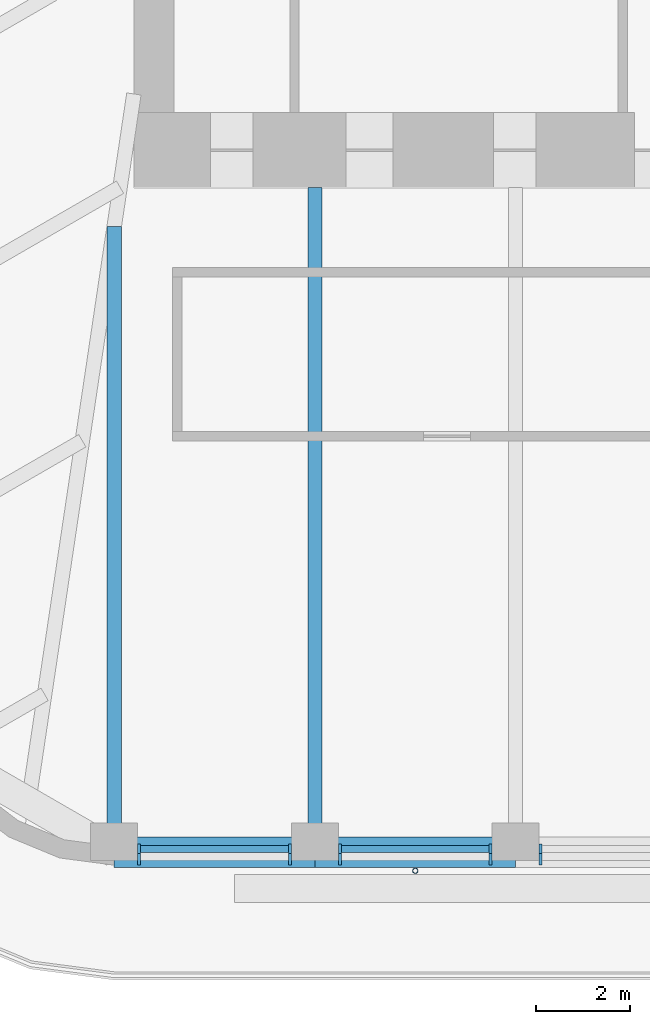
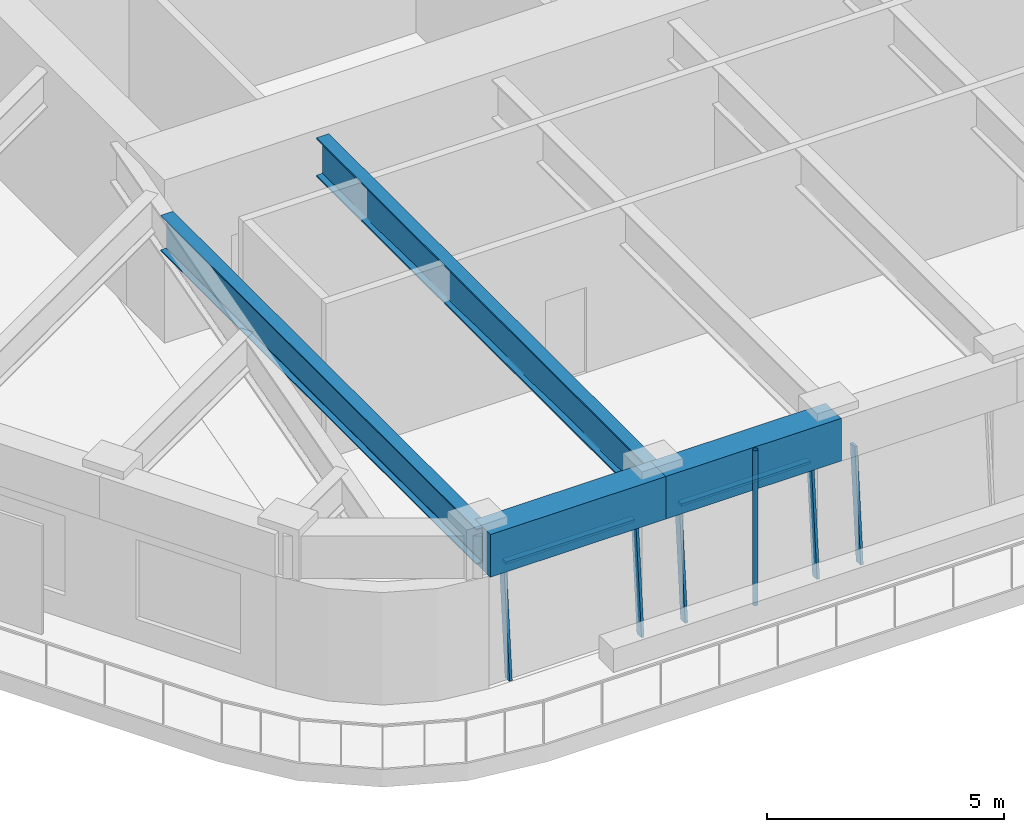
# One storey, part 2 of 19: 8 members, 4 beams, 3 elements without a shape of their own.
"""IFC4 building model written with IfcOpenShell, lengths in metres."""

from ifc_helpers import new_model, si_unit, direction, frame, origin, origin_2d, place, context, subcontext, project, spatial, rectangle, hollow_circle, i_section, extrude, material, material_profile, profile_set, type_object, element, aggregate, save


model = new_model("IFC4")

# Units and contexts
model_context = context("Model", 3, precision=1e-05, world=origin(), true_north=direction((0.0, 1.0)))
body_context = subcontext(model_context, "Body", "Model", "MODEL_VIEW")
ifc_project = project(units=[si_unit("LENGTHUNIT", "METRE"), si_unit("AREAUNIT", "SQUARE_METRE"), si_unit("VOLUMEUNIT", "CUBIC_METRE"), si_unit("PLANEANGLEUNIT", "RADIAN"), si_unit("MASSUNIT", "GRAM", prefix="KILO")], contexts=[model_context])

# Site, building, storey
site_placement = place(None, origin())
site = spatial("IfcSite", under=ifc_project, at=site_placement, CompositionType="ELEMENT")
building_placement = place(site_placement, origin())
building = spatial("IfcBuilding", under=site, at=building_placement, Name="Tarfa Lantern Tower", CompositionType="ELEMENT")
storey_placement = place(building_placement, frame((0.0, 0.0, 345.10009765625)))
storey = spatial("IfcBuildingStorey", under=building, at=storey_placement, Name="L78", CompositionType="ELEMENT", Elevation=345.10009765625)

# Curtain wall, members
ifc_material_1 = material(Name="Aluminium framed curtain wall", Category="aluminium")
curtain_wall_type = type_object("IfcCurtainWallType", Name="CW4 CANTED GLAZING EXECUTIVE ZONE 2900", PredefinedType="USERDEFINED", material=ifc_material_1)
curtain_wall_1_placement = place(storey_placement, origin())
curtain_wall_1 = element("IfcCurtainWall", 1, at=curtain_wall_1_placement, inside=storey, type_object=curtain_wall_type, Name="CW4 S L78", ObjectType="CURTAIN WALL", PredefinedType="USERDEFINED")
ifc_material_2 = material(Name="Aluminium mullion", Category="aluminium")
ifc_material_profile_1 = material_profile(ifc_material_2, rectangle(XDim=0.06494140625, YDim=0.199951171875, at=origin_2d()), Name="AL MULLION 65x200")
ifc_profile_set_1 = profile_set([ifc_material_profile_1], Name="Aluminium mullion")
member_type_1 = type_object("IfcMemberType", Name="CWM1 MULLION 65x200", PredefinedType="MULLION", material=ifc_profile_set_1)
member_1_placement = place(storey_placement, frame((-12.3134765625, -26.64990234375, 0.0), z_axis=(0.0, 0.085891213166, 0.99630452147), x_axis=(-1.0, 0.0, 0.0)))
member_1 = element("IfcMember", 2, at=member_1_placement, type_object=member_type_1, Name="CW4 mullion 1", PredefinedType="MULLION", context=body_context, shape_type="SweptSolid", body=[
    extrude(rectangle(XDim=0.06494140625, YDim=0.199951171875, at=origin_2d()), origin(), (0.0, 0.0, 1.0), 2.91064453125),
])
member_2_placement = place(storey_placement, frame((-9.096435546875, -26.64990234375, 0.0), z_axis=(0.0, 0.085891213166, 0.99630452147), x_axis=(-1.0, 0.0, 0.0)))
member_2 = element("IfcMember", 3, at=member_2_placement, type_object=member_type_1, Name="CW4 mullion 2", PredefinedType="MULLION", context=body_context, shape_type="SweptSolid", body=[
    extrude(rectangle(XDim=0.06494140625, YDim=0.199951171875, at=origin_2d()), origin(), (0.0, 0.0, 1.0), 2.91064453125),
])

curtain_wall_2_placement = place(storey_placement, origin())
curtain_wall_2 = element("IfcCurtainWall", 4, at=curtain_wall_2_placement, inside=storey, type_object=curtain_wall_type, Name="CW4 S L78", ObjectType="CURTAIN WALL", PredefinedType="USERDEFINED")
member_3_placement = place(storey_placement, frame((-8.031494140625, -26.64990234375, 0.0), z_axis=(0.0, 0.085891213166, 0.99630452147), x_axis=(-1.0, 0.0, 0.0)))
member_3 = element("IfcMember", 5, at=member_3_placement, type_object=member_type_1, Name="CW4 mullion 1", PredefinedType="MULLION", context=body_context, shape_type="SweptSolid", body=[
    extrude(rectangle(XDim=0.06494140625, YDim=0.199951171875, at=origin_2d()), origin(), (0.0, 0.0, 1.0), 2.91064453125),
])
member_4_placement = place(storey_placement, frame((-4.814453125, -26.64990234375, 0.0), z_axis=(0.0, 0.085891213166, 0.99630452147), x_axis=(-1.0, 0.0, 0.0)))
member_4 = element("IfcMember", 6, at=member_4_placement, type_object=member_type_1, Name="CW4 mullion 2", PredefinedType="MULLION", context=body_context, shape_type="SweptSolid", body=[
    extrude(rectangle(XDim=0.06494140625, YDim=0.199951171875, at=origin_2d()), origin(), (0.0, 0.0, 1.0), 2.91064453125),
])

# Curtain wall, member
curtain_wall_3_placement = place(storey_placement, origin())
curtain_wall_3 = element("IfcCurtainWall", 7, at=curtain_wall_3_placement, inside=storey, type_object=curtain_wall_type, Name="CW4 S L78", ObjectType="CURTAIN WALL", PredefinedType="USERDEFINED")
member_5_placement = place(storey_placement, frame((-3.74951171875, -26.64990234375, 0.0), z_axis=(0.0, 0.085891213166, 0.99630452147), x_axis=(-1.0, 0.0, 0.0)))
member_5 = element("IfcMember", 8, at=member_5_placement, type_object=member_type_1, Name="CW4 mullion 1", PredefinedType="MULLION", context=body_context, shape_type="SweptSolid", body=[
    extrude(rectangle(XDim=0.06494140625, YDim=0.199951171875, at=origin_2d()), origin(), (0.0, 0.0, 1.0), 2.91064453125),
])
aggregate(curtain_wall_3, [member_5])

# Member
ifc_material_3 = material(Name="Aluminium transom", Category="aluminium")
ifc_material_profile_2 = material_profile(ifc_material_3, rectangle(XDim=0.14990234375, YDim=0.06494140625, at=origin_2d()), Name="AL TRANSOM 150x65")
ifc_profile_set_2 = profile_set([ifc_material_profile_2], Name="Aluminium transom")
member_type_2 = type_object("IfcMemberType", Name="CWT1 TRANSOM 150x65", PredefinedType="USERDEFINED", material=ifc_profile_set_2)
member_6_placement = place(storey_placement, frame((-12.281005859375, -26.40283203125, 2.867431640625), z_axis=(1.0, 0.0, 0.0), x_axis=(0.0, 1.0, 0.0)))
member_6 = element("IfcMember", 9, at=member_6_placement, type_object=member_type_2, Name="CW4 transom 1.2", ObjectType="TRANSOM", PredefinedType="USERDEFINED", context=body_context, shape_type="SweptSolid", body=[
    extrude(rectangle(XDim=0.14990234375, YDim=0.06494140625, at=origin_2d()), origin(), (0.0, 0.0, 1.0), 3.15185546875),
])

aggregate(curtain_wall_1, [member_1, member_2, member_6])

member_7_placement = place(storey_placement, frame((-7.9990234375, -26.40283203125, 2.867431640625), z_axis=(1.0, 0.0, 0.0), x_axis=(0.0, 1.0, 0.0)))
member_7 = element("IfcMember", 10, at=member_7_placement, type_object=member_type_2, Name="CW4 transom 1.2", ObjectType="TRANSOM", PredefinedType="USERDEFINED", context=body_context, shape_type="SweptSolid", body=[
    extrude(rectangle(XDim=0.14990234375, YDim=0.06494140625, at=origin_2d()), origin(), (0.0, 0.0, 1.0), 3.152099609375),
])

aggregate(curtain_wall_2, [member_3, member_4, member_7])

# Beams
ifc_material_4 = material(Name="Concrete C80/95", Category="concrete")
ifc_material_profile_3 = material_profile(ifc_material_4, rectangle(XDim=0.64990234375, YDim=1.10009765625, at=origin_2d()), Name="RC 650x1100")
ifc_profile_set_3 = profile_set([ifc_material_profile_3], Name="Concrete C80/95")
beam_type_1 = type_object("IfcBeamType", Name="EB4 RC 650x1100", PredefinedType="SPANDREL", material=ifc_profile_set_3)
for number, where, z_axis, x_axis, name in (
    (11, (-12.845947265625, -26.469970703125, 3.449951171875), (1.0, 0.0, 0.0), (0.0, 1.0, 0.0), "Edge beam S0"),
    (12, (-8.56396484375, -26.469970703125, 3.449951171875), (1.0, 0.0, 0.0), (0.0, 1.0, 0.0), "Edge beam S1"),
):
    element("IfcBeam", number, at=place(storey_placement, frame(where, z_axis=z_axis, x_axis=x_axis)), inside=storey, type_object=beam_type_1, Name=name, PredefinedType="SPANDREL", context=body_context, shape_type="SweptSolid", body=[
        extrude(rectangle(XDim=0.64990234375, YDim=1.10009765625, at=origin_2d()), origin(), (0.0, 0.0, 1.0), 4.281982421875),
    ])

# Member
ifc_material_5 = material(Name="Steel S355", Category="steel")
ifc_material_profile_4 = material_profile(ifc_material_5, hollow_circle(Radius=0.05712890625, WallThickness=0.00634765625, at=origin_2d()), Name="CHS114.3x6.3")
ifc_profile_set_4 = profile_set([ifc_material_profile_4], Name="Steel S355")
member_type_3 = type_object("IfcMemberType", Name="TR1 GREEN WALL TRELLIS CHS114.3x6.3", PredefinedType="USERDEFINED", material=ifc_profile_set_4)
member_8_placement = place(storey_placement, frame((-6.423095703125, -26.8701171875, 0.0), z_axis=(0.0, 0.0, 1.0), x_axis=(1.0, 0.0, 0.0)))
element("IfcMember", 13, at=member_8_placement, inside=storey, type_object=member_type_3, Name="Trellis post S 1", ObjectType="TRELLIS", PredefinedType="USERDEFINED", context=body_context, shape_type="SweptSolid", body=[
    extrude(hollow_circle(Radius=0.05712890625, WallThickness=0.00634765625, at=origin_2d()), origin(), (0.0, 0.0, 1.0), 4.0),
])

# Beams
ifc_material_6 = material(Name="Steel S460M", Category="steel")
ifc_material_profile_5 = material_profile(ifc_material_6, i_section(OverallWidth=0.302001953125, OverallDepth=1.008056640625, WebThickness=0.02099609375, FlangeThickness=0.0400390625, FilletRadius=0.030029296875, at=origin_2d()), Name="UB1016x305x349")
ifc_profile_set_5 = profile_set([ifc_material_profile_5], Name="Steel S460M")
beam_type_2 = type_object("IfcBeamType", Name="UB1016x305x349", PredefinedType="BEAM", material=ifc_profile_set_5)
beam_1_placement = place(storey_placement, frame((-8.56396484375, -26.469970703125, 3.495849609375), z_axis=(0.0, 1.0, 0.0), x_axis=(-1.0, 0.0, 0.0)))
element("IfcBeam", 14, at=beam_1_placement, inside=storey, type_object=beam_type_2, Name="Floor beam S1", PredefinedType="BEAM", context=body_context, shape_type="SweptSolid", body=[
    extrude(i_section(OverallWidth=0.302001953125, OverallDepth=1.008056640625, WebThickness=0.02099609375, FlangeThickness=0.0400390625, FilletRadius=0.030029296875, at=origin_2d()), origin(), (0.0, 0.0, 1.0), 14.169921875),
])
ifc_material_profile_6 = material_profile(ifc_material_6, i_section(OverallWidth=0.305419921875, OverallDepth=0.91845703125, WebThickness=0.017333984375, FlangeThickness=0.02783203125, FilletRadius=0.01904296875, at=origin_2d()), Name="UB914x305x253")
ifc_profile_set_6 = profile_set([ifc_material_profile_6], Name="Steel S460M")
beam_type_3 = type_object("IfcBeamType", Name="UB914x305x253", PredefinedType="BEAM", material=ifc_profile_set_6)
beam_2_placement = place(storey_placement, frame((-12.845947265625, -26.469970703125, 3.540771484375), z_axis=(0.0, 1.0, 0.0), x_axis=(-1.0, 0.0, 0.0)))
element("IfcBeam", 15, at=beam_2_placement, inside=storey, type_object=beam_type_3, Name="Floor beam S0", PredefinedType="BEAM", context=body_context, shape_type="SweptSolid", body=[
    extrude(i_section(OverallWidth=0.305419921875, OverallDepth=0.91845703125, WebThickness=0.017333984375, FlangeThickness=0.02783203125, FilletRadius=0.01904296875, at=origin_2d()), origin(), (0.0, 0.0, 1.0), 13.33935546875),
])

save(model, "model.ifc")
